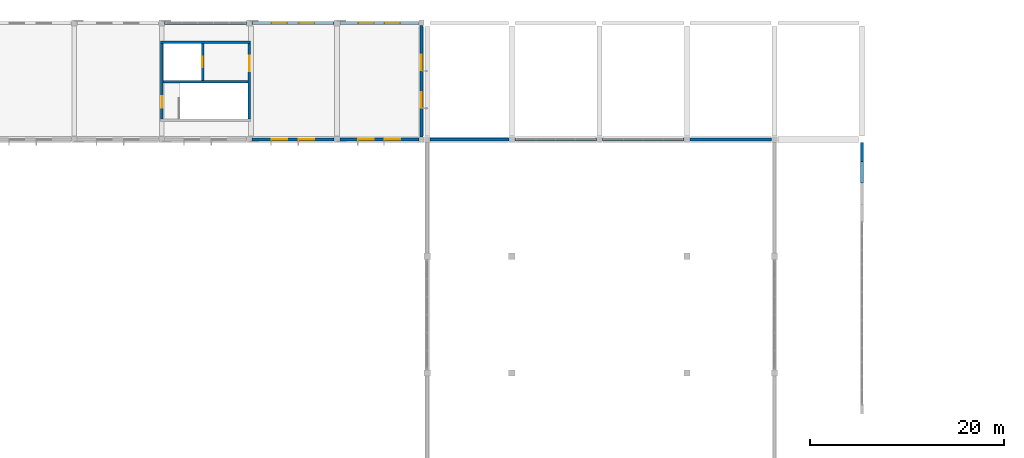
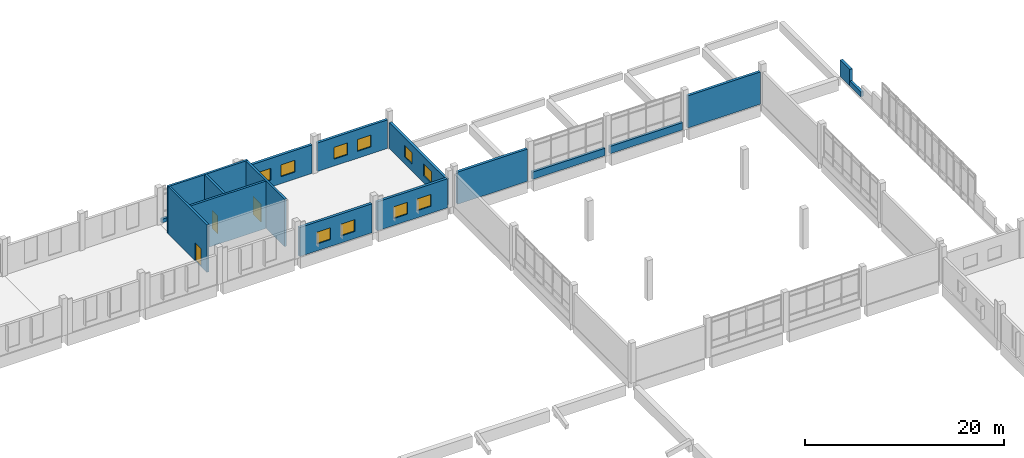
# One storey, part 46 of 63: 17 walls, 10 windows, 3 doors, 13 openings.
"""IFC4 building model written with IfcOpenShell, lengths in metres."""

from ifc_helpers import new_model, si_unit, direction, frame, frame_2d, origin, place, context, subcontext, project, spatial, rectangle, extrude, material, layer, layer_set, type_object, element, fill, save


model = new_model("IFC4")

# Units and contexts
model_context = context("Model", 3, precision=1e-05, world=origin(), true_north=direction((0.0, 1.0)))
body_context = subcontext(model_context, "Body", "Model", "MODEL_VIEW")
ifc_project = project(units=[si_unit("LENGTHUNIT", "METRE"), si_unit("AREAUNIT", "SQUARE_METRE"), si_unit("VOLUMEUNIT", "CUBIC_METRE"), si_unit("PLANEANGLEUNIT", "RADIAN"), si_unit("MASSUNIT", "GRAM", prefix="KILO")], contexts=[model_context])

# Site, building, storey
site_placement = place(None, origin())
site = spatial("IfcSite", under=ifc_project, at=site_placement, CompositionType="ELEMENT")
building_placement = place(site_placement, origin())
building = spatial("IfcBuilding", under=site, at=building_placement, Name="Zacnel Wholesale Market", CompositionType="ELEMENT")
storey_placement = place(building_placement, frame((0.0, 0.0, 11.199951171875)))
storey = spatial("IfcBuildingStorey", under=building, at=storey_placement, Name="L03", CompositionType="ELEMENT", Elevation=11.199951171875)

# Wall
ifc_material_1 = material(Name="Concrete C40/50", Category="concrete")
ifc_layer_1 = layer(ifc_material_1, 0.25)
ifc_layer_set_1 = layer_set([ifc_layer_1], Name="Concrete C40/50")
wall_type_1 = type_object("IfcWallType", Name="WL-CORE-SW250", PredefinedType="SOLIDWALL", material=ifc_layer_set_1)
wall_1_placement = place(storey_placement, frame((116.875, 142.0, 0.0), z_axis=(0.0, 0.0, 1.0), x_axis=(1.0, 0.0, 0.0)))
element("IfcWall", 1, at=wall_1_placement, inside=storey, type_object=wall_type_1, Name="Core C6 north shear wall L03", PredefinedType="SOLIDWALL", context=body_context, shape_type="SweptSolid", body=[
    extrude(rectangle(XDim=9.25, YDim=0.25, at=frame_2d((4.625, 0.0))), origin(), (0.0, 0.0, 1.0), 5.800048828125),
])

# Wall, opening, door
wall_2_placement = place(storey_placement, frame((117.0, 134.125, 0.0), z_axis=(0.0, 0.0, 1.0), x_axis=(0.0, 1.0, 0.0)))
wall_2 = element("IfcWall", 2, at=wall_2_placement, inside=storey, type_object=wall_type_1, Name="Core C6 west shear wall L03", PredefinedType="SOLIDWALL", context=body_context, shape_type="SweptSolid", body=[
    extrude(rectangle(XDim=7.75, YDim=0.25, at=frame_2d((3.875, 0.0))), origin(), (0.0, 0.0, 1.0), 5.800048828125),
])
opening_1_placement = place(wall_2_placement, frame((1.14990234375, 0.0, 0.0)))
opening_1 = element("IfcOpeningElement", 3, at=opening_1_placement, cuts=wall_2, Name="Opening FD-01", PredefinedType="OPENING", context=body_context, shape_type="SweptSolid", body=[
    extrude(rectangle(XDim=1.199951171875, YDim=2.199951171875, at=frame_2d((0.60009765625, 1.10009765625))), frame((0.0, 0.135009765625, 0.0), z_axis=(0.0, -1.0, 0.0), x_axis=(1.0, 0.0, 0.0)), (0.0, 0.0, 1.0), 0.27001953125),
])
ifc_material_2 = material(Name="Galvanized steel", Category="steel")
door_type_1 = type_object("IfcDoorType", Name="DR-FIRE-STAIR-1200", OperationType="NOTDEFINED", PredefinedType="DOOR", material=ifc_material_2)
door_1_placement = place(opening_1_placement, origin())
door_1 = element("IfcDoor", 4, at=door_1_placement, inside=storey, type_object=door_type_1, Name="Protected stair fire door C6 L03", OperationType="SINGLE_SWING_LEFT", OverallHeight=2.199951171875, OverallWidth=1.199951171875, PredefinedType="DOOR", context=body_context, shape_type="SweptSolid", body=[
    extrude(rectangle(XDim=1.199951171875, YDim=2.199951171875, at=frame_2d((0.60009765625, 1.10009765625))), frame((0.0, 0.02490234375, 0.0), z_axis=(0.0, -1.0, 0.0), x_axis=(1.0, 0.0, 0.0)), (0.0, 0.0, 1.0), 0.050048828125),
])
fill(opening_1, door_1)

wall_3_placement = place(storey_placement, frame((126.0, 134.125, 0.0), z_axis=(0.0, 0.0, 1.0), x_axis=(0.0, 1.0, 0.0)))
wall_3 = element("IfcWall", 5, at=wall_3_placement, inside=storey, type_object=wall_type_1, Name="Core C6 east shear wall L03", PredefinedType="SOLIDWALL", context=body_context, shape_type="SweptSolid", body=[
    extrude(rectangle(XDim=7.75, YDim=0.25, at=frame_2d((3.875, 0.0))), origin(), (0.0, 0.0, 1.0), 5.800048828125),
])
opening_2_placement = place(wall_3_placement, frame((4.89990234375, 0.0, 0.0)))
opening_2 = element("IfcOpeningElement", 6, at=opening_2_placement, cuts=wall_3, Name="Opening FD-02", PredefinedType="OPENING", context=body_context, shape_type="SweptSolid", body=[
    extrude(rectangle(XDim=1.60009765625, YDim=2.199951171875, at=frame_2d((0.800048828125, 1.10009765625))), frame((0.0, 0.135009765625, 0.0), z_axis=(0.0, -1.0, 0.0), x_axis=(1.0, 0.0, 0.0)), (0.0, 0.0, 1.0), 0.27001953125),
])
ifc_material_3 = material(Name="Galvanized steel", Category="steel")
door_type_2 = type_object("IfcDoorType", Name="DR-FIRE-LOBBY-1600", OperationType="NOTDEFINED", PredefinedType="DOOR", material=ifc_material_3)
door_2_placement = place(opening_2_placement, origin())
door_2 = element("IfcDoor", 7, at=door_2_placement, inside=storey, type_object=door_type_2, Name="Core lift lobby fire door C6 L03", OperationType="SINGLE_SWING_RIGHT", OverallHeight=2.199951171875, OverallWidth=1.60009765625, PredefinedType="DOOR", context=body_context, shape_type="SweptSolid", body=[
    extrude(rectangle(XDim=1.60009765625, YDim=2.199951171875, at=frame_2d((0.800048828125, 1.10009765625))), frame((0.0, 0.02490234375, 0.0), z_axis=(0.0, -1.0, 0.0), x_axis=(1.0, 0.0, 0.0)), (0.0, 0.0, 1.0), 0.050048828125),
])
fill(opening_2, door_2)

# Wall
wall_4_placement = place(storey_placement, frame((117.125, 137.949951171875, 0.0), z_axis=(0.0, 0.0, 1.0), x_axis=(1.0, 0.0, 0.0)))
element("IfcWall", 8, at=wall_4_placement, inside=storey, type_object=wall_type_1, Name="Core C6 stair-shaft shear wall L03", PredefinedType="SOLIDWALL", context=body_context, shape_type="SweptSolid", body=[
    extrude(rectangle(XDim=8.75, YDim=0.25, at=frame_2d((4.375, 0.0))), origin(), (0.0, 0.0, 1.0), 5.800048828125),
])

# Wall, opening, door
wall_5_placement = place(storey_placement, frame((121.199951171875, 138.074951171875, 0.0), z_axis=(0.0, 0.0, 1.0), x_axis=(0.0, 1.0, 0.0)))
wall_5 = element("IfcWall", 9, at=wall_5_placement, inside=storey, type_object=wall_type_1, Name="Core C6 lift shaft front wall L03", PredefinedType="SOLIDWALL", context=body_context, shape_type="SweptSolid", body=[
    extrude(rectangle(XDim=3.800048828125, YDim=0.25, at=frame_2d((1.89990234375, 0.0))), origin(), (0.0, 0.0, 1.0), 5.800048828125),
])
opening_3_placement = place(wall_5_placement, frame((1.35009765625, 0.0, 0.0)))
opening_3 = element("IfcOpeningElement", 10, at=opening_3_placement, cuts=wall_5, Name="Opening LD-01", PredefinedType="OPENING", context=body_context, shape_type="SweptSolid", body=[
    extrude(rectangle(XDim=1.10009765625, YDim=2.199951171875, at=frame_2d((0.550048828125, 1.10009765625))), frame((0.0, 0.135009765625, 0.0), z_axis=(0.0, -1.0, 0.0), x_axis=(1.0, 0.0, 0.0)), (0.0, 0.0, 1.0), 0.27001953125),
])
ifc_material_4 = material(Name="Galvanized steel", Category="steel")
door_type_3 = type_object("IfcDoorType", Name="DR-LIFT-PASS-1100", OperationType="NOTDEFINED", PredefinedType="DOOR", material=ifc_material_4)
door_3_placement = place(opening_3_placement, origin())
door_3 = element("IfcDoor", 11, at=door_3_placement, inside=storey, type_object=door_type_3, Name="Lift landing door LP-03 L03", OperationType="SLIDING_TO_LEFT", OverallHeight=2.199951171875, OverallWidth=1.10009765625, PredefinedType="DOOR", context=body_context, shape_type="SweptSolid", body=[
    extrude(rectangle(XDim=1.10009765625, YDim=2.199951171875, at=frame_2d((0.550048828125, 1.10009765625))), frame((0.0, 0.02490234375, 0.0), z_axis=(0.0, -1.0, 0.0), x_axis=(1.0, 0.0, 0.0)), (0.0, 0.0, 1.0), 0.050048828125),
])
fill(opening_3, door_3)

# Wall, openings, windows
ifc_material_5 = material(Name="Precast concrete C40/50 (Cancun limestone aggregate)", Category="masonry")
ifc_layer_2 = layer(ifc_material_5, 0.300048828125)
ifc_layer_set_2 = layer_set([ifc_layer_2], Name="Precast concrete C40/50 (Cancun limestone aggregate)")
wall_type_2 = type_object("IfcWallType", Name="WL-EXT-LIME-300", PredefinedType="SOLIDWALL", material=ifc_layer_set_2)
wall_6_placement = place(storey_placement, frame((126.300048828125, 132.0, 0.0), z_axis=(0.0, 0.0, 1.0), x_axis=(1.0, 0.0, 0.0)))
wall_6 = element("IfcWall", 12, at=wall_6_placement, inside=storey, type_object=wall_type_2, Name="Exterior wall L03-0407", PredefinedType="SOLIDWALL", context=body_context, shape_type="SweptSolid", body=[
    extrude(rectangle(XDim=8.39990234375, YDim=0.300048828125, at=frame_2d((4.199951171875, 0.0))), origin(), (0.0, 0.0, 1.0), 3.550048828125),
])
opening_4_placement = place(wall_6_placement, frame((2.0, 0.0, 0.85009765625)))
opening_4 = element("IfcOpeningElement", 13, at=opening_4_placement, cuts=wall_6, Name="Opening W-06", PredefinedType="OPENING", context=body_context, shape_type="SweptSolid", body=[
    extrude(rectangle(XDim=1.60009765625, YDim=1.449951171875, at=frame_2d((0.800048828125, 0.72509765625))), frame((0.0, 0.159912109375, 0.0), z_axis=(0.0, -1.0, 0.0), x_axis=(1.0, 0.0, 0.0)), (0.0, 0.0, 1.0), 0.320068359375),
])
opening_5_placement = place(wall_6_placement, frame((4.800048828125, 0.0, 0.85009765625)))
opening_5 = element("IfcOpeningElement", 14, at=opening_5_placement, cuts=wall_6, Name="Opening W-06", PredefinedType="OPENING", context=body_context, shape_type="SweptSolid", body=[
    extrude(rectangle(XDim=1.60009765625, YDim=1.449951171875, at=frame_2d((0.800048828125, 0.72509765625))), frame((0.0, 0.159912109375, 0.0), z_axis=(0.0, -1.0, 0.0), x_axis=(1.0, 0.0, 0.0)), (0.0, 0.0, 1.0), 0.320068359375),
])
ifc_material_6 = material(Name="Laminated hurricane-impact low-E insulated glass", Category="glass")
window_type = type_object("IfcWindowType", Name="WIN-HIG-1600X1450", PartitioningType="DOUBLE_PANEL_HORIZONTAL", PredefinedType="WINDOW", material=ifc_material_6)
window_1_placement = place(opening_4_placement, origin())
window_1 = element("IfcWindow", 15, at=window_1_placement, inside=storey, type_object=window_type, Name="Window L03-0433", OverallHeight=1.449951171875, OverallWidth=1.60009765625, PartitioningType="DOUBLE_PANEL_HORIZONTAL", PredefinedType="WINDOW", context=body_context, shape_type="SweptSolid", body=[
    extrude(rectangle(XDim=1.60009765625, YDim=1.449951171875, at=frame_2d((0.800048828125, 0.72509765625))), frame((0.0, 0.030029296875, 0.0), z_axis=(0.0, -1.0, 0.0), x_axis=(1.0, 0.0, 0.0)), (0.0, 0.0, 1.0), 0.06005859375),
])
fill(opening_4, window_1)
window_2_placement = place(opening_5_placement, origin())
window_2 = element("IfcWindow", 16, at=window_2_placement, inside=storey, type_object=window_type, Name="Window L03-0434", OverallHeight=1.449951171875, OverallWidth=1.60009765625, PartitioningType="DOUBLE_PANEL_HORIZONTAL", PredefinedType="WINDOW", context=body_context, shape_type="SweptSolid", body=[
    extrude(rectangle(XDim=1.60009765625, YDim=1.449951171875, at=frame_2d((0.800048828125, 0.72509765625))), frame((0.0, 0.030029296875, 0.0), z_axis=(0.0, -1.0, 0.0), x_axis=(1.0, 0.0, 0.0)), (0.0, 0.0, 1.0), 0.06005859375),
])
fill(opening_5, window_2)

wall_7_placement = place(storey_placement, frame((135.300048828125, 132.0, 0.0), z_axis=(0.0, 0.0, 1.0), x_axis=(1.0, 0.0, 0.0)))
wall_7 = element("IfcWall", 17, at=wall_7_placement, inside=storey, type_object=wall_type_2, Name="Exterior wall L03-0408", PredefinedType="SOLIDWALL", context=body_context, shape_type="SweptSolid", body=[
    extrude(rectangle(XDim=8.125, YDim=0.300048828125, at=frame_2d((4.0625, 0.0))), origin(), (0.0, 0.0, 1.0), 3.550048828125),
])
opening_6_placement = place(wall_7_placement, frame((1.907958984375, 0.0, 0.85009765625)))
opening_6 = element("IfcOpeningElement", 18, at=opening_6_placement, cuts=wall_7, Name="Opening W-06", PredefinedType="OPENING", context=body_context, shape_type="SweptSolid", body=[
    extrude(rectangle(XDim=1.60009765625, YDim=1.449951171875, at=frame_2d((0.800048828125, 0.72509765625))), frame((0.0, 0.159912109375, 0.0), z_axis=(0.0, -1.0, 0.0), x_axis=(1.0, 0.0, 0.0)), (0.0, 0.0, 1.0), 0.320068359375),
])
opening_7_placement = place(wall_7_placement, frame((4.616943359375, 0.0, 0.85009765625)))
opening_7 = element("IfcOpeningElement", 19, at=opening_7_placement, cuts=wall_7, Name="Opening W-06", PredefinedType="OPENING", context=body_context, shape_type="SweptSolid", body=[
    extrude(rectangle(XDim=1.60009765625, YDim=1.449951171875, at=frame_2d((0.800048828125, 0.72509765625))), frame((0.0, 0.159912109375, 0.0), z_axis=(0.0, -1.0, 0.0), x_axis=(1.0, 0.0, 0.0)), (0.0, 0.0, 1.0), 0.320068359375),
])
window_3_placement = place(opening_6_placement, origin())
window_3 = element("IfcWindow", 20, at=window_3_placement, inside=storey, type_object=window_type, Name="Window L03-0435", OverallHeight=1.449951171875, OverallWidth=1.60009765625, PartitioningType="DOUBLE_PANEL_HORIZONTAL", PredefinedType="WINDOW", context=body_context, shape_type="SweptSolid", body=[
    extrude(rectangle(XDim=1.60009765625, YDim=1.449951171875, at=frame_2d((0.800048828125, 0.72509765625))), frame((0.0, 0.030029296875, 0.0), z_axis=(0.0, -1.0, 0.0), x_axis=(1.0, 0.0, 0.0)), (0.0, 0.0, 1.0), 0.06005859375),
])
fill(opening_6, window_3)
window_4_placement = place(opening_7_placement, origin())
window_4 = element("IfcWindow", 21, at=window_4_placement, inside=storey, type_object=window_type, Name="Window L03-0436", OverallHeight=1.449951171875, OverallWidth=1.60009765625, PartitioningType="DOUBLE_PANEL_HORIZONTAL", PredefinedType="WINDOW", context=body_context, shape_type="SweptSolid", body=[
    extrude(rectangle(XDim=1.60009765625, YDim=1.449951171875, at=frame_2d((0.800048828125, 0.72509765625))), frame((0.0, 0.030029296875, 0.0), z_axis=(0.0, -1.0, 0.0), x_axis=(1.0, 0.0, 0.0)), (0.0, 0.0, 1.0), 0.06005859375),
])
fill(opening_7, window_4)

# Wall
wall_8_placement = place(storey_placement, frame((117.300048828125, 144.0, 0.0), z_axis=(0.0, 0.0, 1.0), x_axis=(1.0, 0.0, 0.0)))
element("IfcWall", 22, at=wall_8_placement, inside=storey, type_object=wall_type_2, Name="Curtain-wall limestone plinth L03-0049", PredefinedType="SOLIDWALL", context=body_context, shape_type="SweptSolid", body=[
    extrude(rectangle(XDim=8.39990234375, YDim=0.300048828125, at=frame_2d((4.199951171875, 0.0))), origin(), (0.0, 0.0, 1.0), 0.449951171875),
])

# Wall, openings, windows
wall_9_placement = place(storey_placement, frame((126.300048828125, 144.0, 0.0), z_axis=(0.0, 0.0, 1.0), x_axis=(1.0, 0.0, 0.0)))
wall_9 = element("IfcWall", 23, at=wall_9_placement, inside=storey, type_object=wall_type_2, Name="Exterior wall L03-0413", PredefinedType="SOLIDWALL", context=body_context, shape_type="SweptSolid", body=[
    extrude(rectangle(XDim=8.39990234375, YDim=0.300048828125, at=frame_2d((4.199951171875, 0.0))), origin(), (0.0, 0.0, 1.0), 3.5),
])
opening_8_placement = place(wall_9_placement, frame((2.0, 0.0, 0.85009765625)))
opening_8 = element("IfcOpeningElement", 24, at=opening_8_placement, cuts=wall_9, Name="Opening W-06", PredefinedType="OPENING", context=body_context, shape_type="SweptSolid", body=[
    extrude(rectangle(XDim=1.60009765625, YDim=1.449951171875, at=frame_2d((0.800048828125, 0.72509765625))), frame((0.0, 0.159912109375, 0.0), z_axis=(0.0, -1.0, 0.0), x_axis=(1.0, 0.0, 0.0)), (0.0, 0.0, 1.0), 0.320068359375),
])
opening_9_placement = place(wall_9_placement, frame((4.800048828125, 0.0, 0.85009765625)))
opening_9 = element("IfcOpeningElement", 25, at=opening_9_placement, cuts=wall_9, Name="Opening W-06", PredefinedType="OPENING", context=body_context, shape_type="SweptSolid", body=[
    extrude(rectangle(XDim=1.60009765625, YDim=1.449951171875, at=frame_2d((0.800048828125, 0.72509765625))), frame((0.0, 0.159912109375, 0.0), z_axis=(0.0, -1.0, 0.0), x_axis=(1.0, 0.0, 0.0)), (0.0, 0.0, 1.0), 0.320068359375),
])
window_5_placement = place(opening_8_placement, origin())
window_5 = element("IfcWindow", 26, at=window_5_placement, inside=storey, type_object=window_type, Name="Window L03-0445", OverallHeight=1.449951171875, OverallWidth=1.60009765625, PartitioningType="DOUBLE_PANEL_HORIZONTAL", PredefinedType="WINDOW", context=body_context, shape_type="SweptSolid", body=[
    extrude(rectangle(XDim=1.60009765625, YDim=1.449951171875, at=frame_2d((0.800048828125, 0.72509765625))), frame((0.0, 0.030029296875, 0.0), z_axis=(0.0, -1.0, 0.0), x_axis=(1.0, 0.0, 0.0)), (0.0, 0.0, 1.0), 0.06005859375),
])
fill(opening_8, window_5)
window_6_placement = place(opening_9_placement, origin())
window_6 = element("IfcWindow", 27, at=window_6_placement, inside=storey, type_object=window_type, Name="Window L03-0446", OverallHeight=1.449951171875, OverallWidth=1.60009765625, PartitioningType="DOUBLE_PANEL_HORIZONTAL", PredefinedType="WINDOW", context=body_context, shape_type="SweptSolid", body=[
    extrude(rectangle(XDim=1.60009765625, YDim=1.449951171875, at=frame_2d((0.800048828125, 0.72509765625))), frame((0.0, 0.030029296875, 0.0), z_axis=(0.0, -1.0, 0.0), x_axis=(1.0, 0.0, 0.0)), (0.0, 0.0, 1.0), 0.06005859375),
])
fill(opening_9, window_6)

wall_10_placement = place(storey_placement, frame((135.300048828125, 144.0, 0.0), z_axis=(0.0, 0.0, 1.0), x_axis=(1.0, 0.0, 0.0)))
wall_10 = element("IfcWall", 28, at=wall_10_placement, inside=storey, type_object=wall_type_2, Name="Exterior wall L03-0414", PredefinedType="SOLIDWALL", context=body_context, shape_type="SweptSolid", body=[
    extrude(rectangle(XDim=8.125, YDim=0.300048828125, at=frame_2d((4.0625, 0.0))), origin(), (0.0, 0.0, 1.0), 3.5),
])
opening_10_placement = place(wall_10_placement, frame((1.907958984375, 0.0, 0.85009765625)))
opening_10 = element("IfcOpeningElement", 29, at=opening_10_placement, cuts=wall_10, Name="Opening W-06", PredefinedType="OPENING", context=body_context, shape_type="SweptSolid", body=[
    extrude(rectangle(XDim=1.60009765625, YDim=1.449951171875, at=frame_2d((0.800048828125, 0.72509765625))), frame((0.0, 0.159912109375, 0.0), z_axis=(0.0, -1.0, 0.0), x_axis=(1.0, 0.0, 0.0)), (0.0, 0.0, 1.0), 0.320068359375),
])
opening_11_placement = place(wall_10_placement, frame((4.616943359375, 0.0, 0.85009765625)))
opening_11 = element("IfcOpeningElement", 30, at=opening_11_placement, cuts=wall_10, Name="Opening W-06", PredefinedType="OPENING", context=body_context, shape_type="SweptSolid", body=[
    extrude(rectangle(XDim=1.60009765625, YDim=1.449951171875, at=frame_2d((0.800048828125, 0.72509765625))), frame((0.0, 0.159912109375, 0.0), z_axis=(0.0, -1.0, 0.0), x_axis=(1.0, 0.0, 0.0)), (0.0, 0.0, 1.0), 0.320068359375),
])
window_7_placement = place(opening_10_placement, origin())
window_7 = element("IfcWindow", 31, at=window_7_placement, inside=storey, type_object=window_type, Name="Window L03-0447", OverallHeight=1.449951171875, OverallWidth=1.60009765625, PartitioningType="DOUBLE_PANEL_HORIZONTAL", PredefinedType="WINDOW", context=body_context, shape_type="SweptSolid", body=[
    extrude(rectangle(XDim=1.60009765625, YDim=1.449951171875, at=frame_2d((0.800048828125, 0.72509765625))), frame((0.0, 0.030029296875, 0.0), z_axis=(0.0, -1.0, 0.0), x_axis=(1.0, 0.0, 0.0)), (0.0, 0.0, 1.0), 0.06005859375),
])
fill(opening_10, window_7)
window_8_placement = place(opening_11_placement, origin())
window_8 = element("IfcWindow", 32, at=window_8_placement, inside=storey, type_object=window_type, Name="Window L03-0448", OverallHeight=1.449951171875, OverallWidth=1.60009765625, PartitioningType="DOUBLE_PANEL_HORIZONTAL", PredefinedType="WINDOW", context=body_context, shape_type="SweptSolid", body=[
    extrude(rectangle(XDim=1.60009765625, YDim=1.449951171875, at=frame_2d((0.800048828125, 0.72509765625))), frame((0.0, 0.030029296875, 0.0), z_axis=(0.0, -1.0, 0.0), x_axis=(1.0, 0.0, 0.0)), (0.0, 0.0, 1.0), 0.06005859375),
])
fill(opening_11, window_8)

wall_11_placement = place(storey_placement, frame((143.699951171875, 132.27490234375, 0.0), z_axis=(0.0, 0.0, 1.0), x_axis=(0.0, 1.0, 0.0)))
wall_11 = element("IfcWall", 33, at=wall_11_placement, inside=storey, type_object=wall_type_2, Name="Exterior wall L03-0416", PredefinedType="SOLIDWALL", context=body_context, shape_type="SweptSolid", body=[
    extrude(rectangle(XDim=11.4501953125, YDim=0.300048828125, at=frame_2d((5.72509765625, 0.0))), origin(), (0.0, 0.0, 1.0), 3.199951171875),
])
opening_12_placement = place(wall_11_placement, frame((3.01708984375, 0.0, 0.85009765625)))
opening_12 = element("IfcOpeningElement", 34, at=opening_12_placement, cuts=wall_11, Name="Opening W-06", PredefinedType="OPENING", context=body_context, shape_type="SweptSolid", body=[
    extrude(rectangle(XDim=1.60009765625, YDim=1.449951171875, at=frame_2d((0.800048828125, 0.72509765625))), frame((0.0, 0.159912109375, 0.0), z_axis=(0.0, -1.0, 0.0), x_axis=(1.0, 0.0, 0.0)), (0.0, 0.0, 1.0), 0.320068359375),
])
opening_13_placement = place(wall_11_placement, frame((6.8330078125, 0.0, 0.85009765625)))
opening_13 = element("IfcOpeningElement", 35, at=opening_13_placement, cuts=wall_11, Name="Opening W-06", PredefinedType="OPENING", context=body_context, shape_type="SweptSolid", body=[
    extrude(rectangle(XDim=1.60009765625, YDim=1.449951171875, at=frame_2d((0.800048828125, 0.72509765625))), frame((0.0, 0.159912109375, 0.0), z_axis=(0.0, -1.0, 0.0), x_axis=(1.0, 0.0, 0.0)), (0.0, 0.0, 1.0), 0.320068359375),
])
window_9_placement = place(opening_12_placement, origin())
window_9 = element("IfcWindow", 36, at=window_9_placement, inside=storey, type_object=window_type, Name="Window L03-0451", OverallHeight=1.449951171875, OverallWidth=1.60009765625, PartitioningType="DOUBLE_PANEL_HORIZONTAL", PredefinedType="WINDOW", context=body_context, shape_type="SweptSolid", body=[
    extrude(rectangle(XDim=1.60009765625, YDim=1.449951171875, at=frame_2d((0.800048828125, 0.72509765625))), frame((0.0, 0.030029296875, 0.0), z_axis=(0.0, -1.0, 0.0), x_axis=(1.0, 0.0, 0.0)), (0.0, 0.0, 1.0), 0.06005859375),
])
fill(opening_12, window_9)
window_10_placement = place(opening_13_placement, origin())
window_10 = element("IfcWindow", 37, at=window_10_placement, inside=storey, type_object=window_type, Name="Window L03-0452", OverallHeight=1.449951171875, OverallWidth=1.60009765625, PartitioningType="DOUBLE_PANEL_HORIZONTAL", PredefinedType="WINDOW", context=body_context, shape_type="SweptSolid", body=[
    extrude(rectangle(XDim=1.60009765625, YDim=1.449951171875, at=frame_2d((0.800048828125, 0.72509765625))), frame((0.0, 0.030029296875, 0.0), z_axis=(0.0, -1.0, 0.0), x_axis=(1.0, 0.0, 0.0)), (0.0, 0.0, 1.0), 0.06005859375),
])
fill(opening_13, window_10)

# Walls
wall_12_placement = place(storey_placement, frame((144.60009765625, 132.0, 0.0), z_axis=(0.0, 0.0, 1.0), x_axis=(1.0, 0.0, 0.0)))
element("IfcWall", 38, at=wall_12_placement, inside=storey, type_object=wall_type_2, Name="Crossing drum limestone corner wall N-1", PredefinedType="SOLIDWALL", context=body_context, shape_type="SweptSolid", body=[
    extrude(rectangle(XDim=8.099853515625, YDim=0.300048828125, at=frame_2d((4.0498046875, 0.0))), origin(), (0.0, 0.0, 1.0), 3.949951171875),
])
for number, where, z_axis, x_axis, name in (
    (39, (153.300048828125, 132.0, 0.0), (0.0, 0.0, 1.0), (1.0, 0.0, 0.0), "Crossing drum sill spandrel N-2"),
    (40, (162.300048828125, 132.0, 0.0), (0.0, 0.0, 1.0), (1.0, 0.0, 0.0), "Crossing drum sill spandrel N-3"),
):
    element("IfcWall", number, at=place(storey_placement, frame(where, z_axis=z_axis, x_axis=x_axis)), inside=storey, type_object=wall_type_2, Name=name, PredefinedType="SOLIDWALL", context=body_context, shape_type="SweptSolid", body=[
        extrude(rectangle(XDim=8.39990234375, YDim=0.300048828125, at=frame_2d((4.199951171875, 0.0))), origin(), (0.0, 0.0, 1.0), 0.900146484375),
    ])
wall_13_placement = place(storey_placement, frame((171.300048828125, 132.0, 0.0), z_axis=(0.0, 0.0, 1.0), x_axis=(1.0, 0.0, 0.0)))
element("IfcWall", 41, at=wall_13_placement, inside=storey, type_object=wall_type_2, Name="Crossing drum limestone corner wall N-4", PredefinedType="SOLIDWALL", context=body_context, shape_type="SweptSolid", body=[
    extrude(rectangle(XDim=8.39990234375, YDim=0.300048828125, at=frame_2d((4.199951171875, 0.0))), origin(), (0.0, 0.0, 1.0), 3.949951171875),
])
wall_14_placement = place(storey_placement, frame((189.0, 127.53759765625, 0.300048828125), z_axis=(0.0, 0.0, 1.0), x_axis=(0.0, 1.0, 0.0)))
element("IfcWall", 42, at=wall_14_placement, inside=storey, type_object=wall_type_2, Name="Barrel-shell gable limestone tympanum NW-E-2 part 3", PredefinedType="SOLIDWALL", context=body_context, shape_type="SweptSolid", body=[
    extrude(rectangle(XDim=2.231201171875, YDim=0.300048828125, at=frame_2d((1.11572265625, 0.0))), origin(), (0.0, 0.0, 1.0), 0.567626953125),
])
wall_15_placement = place(storey_placement, frame((189.0, 129.768798828125, 0.300048828125), z_axis=(0.0, 0.0, 1.0), x_axis=(0.0, 1.0, 0.0)))
element("IfcWall", 43, at=wall_15_placement, inside=storey, type_object=wall_type_2, Name="Barrel-shell gable limestone tympanum NW-E-2 part 4", PredefinedType="SOLIDWALL", context=body_context, shape_type="SweptSolid", body=[
    extrude(rectangle(XDim=1.93115234375, YDim=0.300048828125, at=frame_2d((0.965576171875, 0.0))), origin(), (0.0, 0.0, 1.0), 2.0),
])

save(model, "model.ifc")
